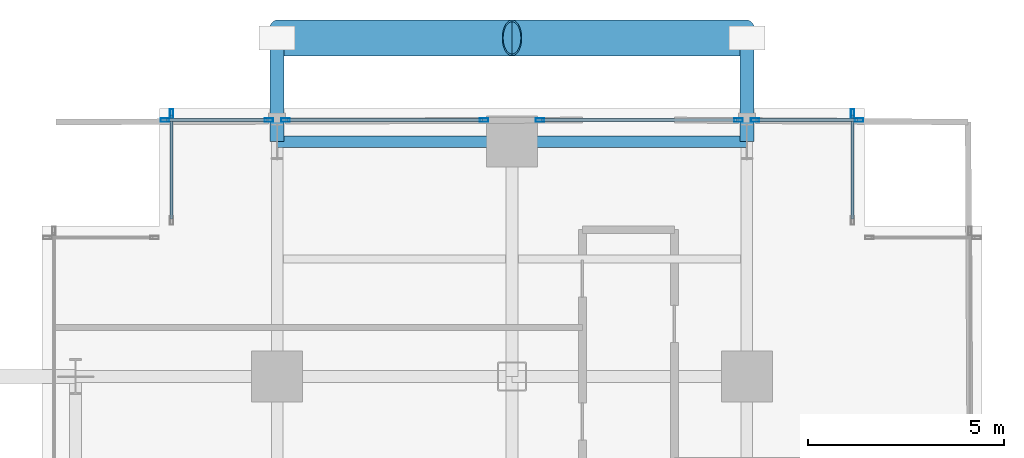
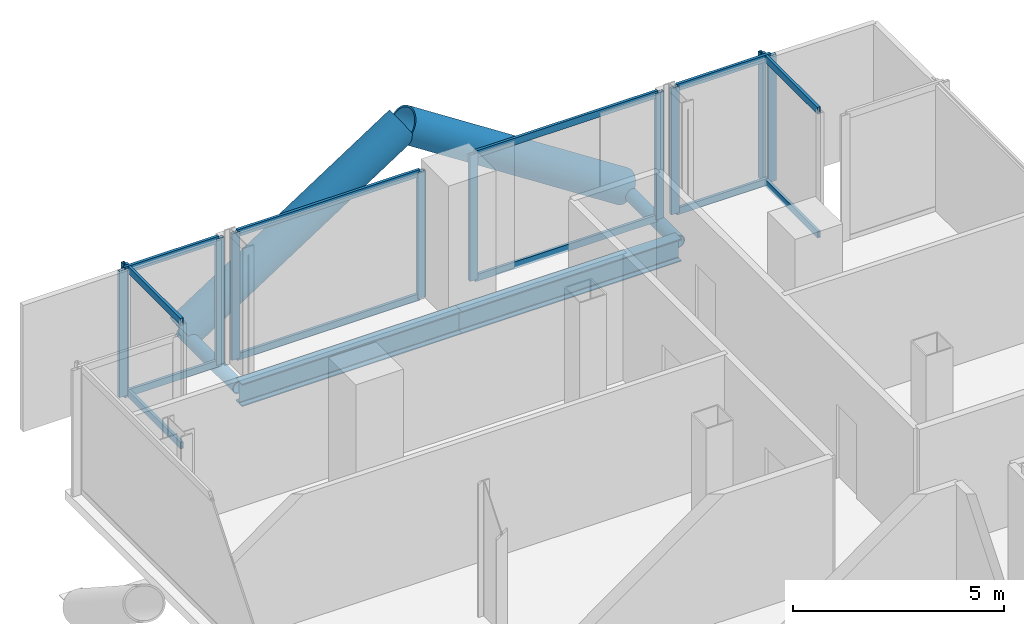
# One storey, part 16 of 25: 26 members, 2 beams, 6 elements without a shape of their own.
"""IFC4 building model written with IfcOpenShell, lengths in metres."""

from ifc_helpers import new_model, si_unit, direction, frame, origin, origin_2d, place, context, subcontext, project, spatial, hollow_rectangle, hollow_circle, i_section, extrude, material, layer, layer_set, material_profile, profile_set, type_object, element, aggregate, save


model = new_model("IFC4")

# Units and contexts
model_context = context("Model", 3, precision=1e-05, world=origin(), true_north=direction((0.0, 1.0)))
body_context = subcontext(model_context, "Body", "Model", "MODEL_VIEW")
ifc_project = project(units=[si_unit("LENGTHUNIT", "METRE"), si_unit("AREAUNIT", "SQUARE_METRE"), si_unit("VOLUMEUNIT", "CUBIC_METRE"), si_unit("PLANEANGLEUNIT", "RADIAN"), si_unit("MASSUNIT", "GRAM", prefix="KILO"), si_unit("THERMODYNAMICTEMPERATUREUNIT", "KELVIN"), si_unit("POWERUNIT", "WATT")], contexts=[model_context])

# Site, building, storey
site_placement = place(None, origin())
site = spatial("IfcSite", under=ifc_project, at=site_placement, CompositionType="ELEMENT")
building_placement = place(site_placement, origin())
building = spatial("IfcBuilding", under=site, at=building_placement, Name="Svarakhadi Broadcast Tower", CompositionType="ELEMENT")
storey_placement = place(building_placement, frame((0.0, 0.0, 63.60009765625)))
storey = spatial("IfcBuildingStorey", under=building, at=storey_placement, Name="L14", CompositionType="ELEMENT", Elevation=63.60009765625)

# Curtain wall, member
ifc_material_1 = material(Name="Anodised Bronze Aluminium AA 6063-T6", Category="aluminium")
ifc_layer = layer(ifc_material_1, 0.219970703125)
ifc_layer_set = layer_set([ifc_layer], Name="Anodised Bronze Aluminium AA 6063-T6")
curtain_wall_type = type_object("IfcCurtainWallType", Name="CW_Sys_02", PredefinedType="NOTDEFINED", material=ifc_layer_set)
curtain_wall_1_placement = place(storey_placement, origin())
curtain_wall_1 = element("IfcCurtainWall", 1, at=curtain_wall_1_placement, inside=storey, type_object=curtain_wall_type, Name="L14 Unitised Facade Curtain Wall 05", PredefinedType="NOTDEFINED")
ifc_material_profile_1 = material_profile(ifc_material_1, hollow_rectangle(XDim=0.0849609375, YDim=0.219970703125, WallThickness=0.006103515625, at=origin_2d()), Name="ALU MULLION 220x85x6")
ifc_profile_set_1 = profile_set([ifc_material_profile_1], Name="Anodised Bronze Aluminium AA 6063-T6")
member_type_1 = type_object("IfcMemberType", Name="CW_Sys_02_Mul", PredefinedType="MULLION", material=ifc_profile_set_1)
member_1_placement = place(storey_placement, frame((3.300048828125, 47.867431640625, 0.0), z_axis=(0.0, 0.0, 1.0), x_axis=(-1.0, 0.0, 0.0)))
member_1 = element("IfcMember", 2, at=member_1_placement, type_object=member_type_1, Name="CW-02 mullion 2", PredefinedType="MULLION", context=body_context, shape_type="SweptSolid", body=[
    extrude(hollow_rectangle(XDim=0.0849609375, YDim=0.219970703125, WallThickness=0.006103515625, at=origin_2d()), origin(), (0.0, 0.0, 1.0), 3.64990234375),
])

# Curtain wall, members
curtain_wall_2_placement = place(storey_placement, origin())
curtain_wall_2 = element("IfcCurtainWall", 3, at=curtain_wall_2_placement, inside=storey, type_object=curtain_wall_type, Name="L14 Unitised Facade Curtain Wall 06 Bay 1", PredefinedType="NOTDEFINED")
member_2_placement = place(storey_placement, frame((3.132568359375, 47.699951171875, 0.0), z_axis=(0.0, 0.0, 1.0), x_axis=(0.0, 1.0, 0.0)))
member_2 = element("IfcMember", 4, at=member_2_placement, type_object=member_type_1, Name="CW-02 mullion 1", PredefinedType="MULLION", context=body_context, shape_type="SweptSolid", body=[
    extrude(hollow_rectangle(XDim=0.0849609375, YDim=0.219970703125, WallThickness=0.006103515625, at=origin_2d()), origin(), (0.0, 0.0, 1.0), 3.64990234375),
])
member_3_placement = place(storey_placement, frame((5.78759765625, 47.699951171875, 0.0), z_axis=(0.0, 0.0, 1.0), x_axis=(0.0, 1.0, 0.0)))
member_3 = element("IfcMember", 5, at=member_3_placement, type_object=member_type_1, Name="CW-02 mullion 2", PredefinedType="MULLION", context=body_context, shape_type="SweptSolid", body=[
    extrude(hollow_rectangle(XDim=0.0849609375, YDim=0.219970703125, WallThickness=0.006103515625, at=origin_2d()), origin(), (0.0, 0.0, 1.0), 3.64990234375),
])

curtain_wall_3_placement = place(storey_placement, origin())
curtain_wall_3 = element("IfcCurtainWall", 6, at=curtain_wall_3_placement, inside=storey, type_object=curtain_wall_type, Name="L14 Unitised Facade Curtain Wall 06 Bay 2", PredefinedType="NOTDEFINED")
member_4_placement = place(storey_placement, frame((6.21240234375, 47.699951171875, 0.0), z_axis=(0.0, 0.0, 1.0), x_axis=(0.0, 1.0, 0.0)))
member_4 = element("IfcMember", 7, at=member_4_placement, type_object=member_type_1, Name="CW-02 mullion 1", PredefinedType="MULLION", context=body_context, shape_type="SweptSolid", body=[
    extrude(hollow_rectangle(XDim=0.0849609375, YDim=0.219970703125, WallThickness=0.006103515625, at=origin_2d()), origin(), (0.0, 0.0, 1.0), 3.64990234375),
])
member_5_placement = place(storey_placement, frame((11.28759765625, 47.699951171875, 0.0), z_axis=(0.0, 0.0, 1.0), x_axis=(0.0, 1.0, 0.0)))
member_5 = element("IfcMember", 8, at=member_5_placement, type_object=member_type_1, Name="CW-02 mullion 2", PredefinedType="MULLION", context=body_context, shape_type="SweptSolid", body=[
    extrude(hollow_rectangle(XDim=0.0849609375, YDim=0.219970703125, WallThickness=0.006103515625, at=origin_2d()), origin(), (0.0, 0.0, 1.0), 3.64990234375),
])

curtain_wall_4_placement = place(storey_placement, origin())
curtain_wall_4 = element("IfcCurtainWall", 9, at=curtain_wall_4_placement, inside=storey, type_object=curtain_wall_type, Name="L14 Unitised Facade Curtain Wall 06 Bay 3", PredefinedType="NOTDEFINED")
member_6_placement = place(storey_placement, frame((12.71240234375, 47.699951171875, 0.0), z_axis=(0.0, 0.0, 1.0), x_axis=(0.0, 1.0, 0.0)))
member_6 = element("IfcMember", 10, at=member_6_placement, type_object=member_type_1, Name="CW-02 mullion 1", PredefinedType="MULLION", context=body_context, shape_type="SweptSolid", body=[
    extrude(hollow_rectangle(XDim=0.0849609375, YDim=0.219970703125, WallThickness=0.006103515625, at=origin_2d()), origin(), (0.0, 0.0, 1.0), 3.64990234375),
])
member_7_placement = place(storey_placement, frame((17.78759765625, 47.699951171875, 0.0), z_axis=(0.0, 0.0, 1.0), x_axis=(0.0, 1.0, 0.0)))
member_7 = element("IfcMember", 11, at=member_7_placement, type_object=member_type_1, Name="CW-02 mullion 2", PredefinedType="MULLION", context=body_context, shape_type="SweptSolid", body=[
    extrude(hollow_rectangle(XDim=0.0849609375, YDim=0.219970703125, WallThickness=0.006103515625, at=origin_2d()), origin(), (0.0, 0.0, 1.0), 3.64990234375),
])

curtain_wall_5_placement = place(storey_placement, origin())
curtain_wall_5 = element("IfcCurtainWall", 12, at=curtain_wall_5_placement, inside=storey, type_object=curtain_wall_type, Name="L14 Unitised Facade Curtain Wall 06 Bay 4", PredefinedType="NOTDEFINED")
member_8_placement = place(storey_placement, frame((18.21240234375, 47.699951171875, 0.0), z_axis=(0.0, 0.0, 1.0), x_axis=(0.0, 1.0, 0.0)))
member_8 = element("IfcMember", 13, at=member_8_placement, type_object=member_type_1, Name="CW-02 mullion 1", PredefinedType="MULLION", context=body_context, shape_type="SweptSolid", body=[
    extrude(hollow_rectangle(XDim=0.0849609375, YDim=0.219970703125, WallThickness=0.006103515625, at=origin_2d()), origin(), (0.0, 0.0, 1.0), 3.64990234375),
])
member_9_placement = place(storey_placement, frame((20.867431640625, 47.699951171875, 0.0), z_axis=(0.0, 0.0, 1.0), x_axis=(0.0, 1.0, 0.0)))
member_9 = element("IfcMember", 14, at=member_9_placement, type_object=member_type_1, Name="CW-02 mullion 2", PredefinedType="MULLION", context=body_context, shape_type="SweptSolid", body=[
    extrude(hollow_rectangle(XDim=0.0849609375, YDim=0.219970703125, WallThickness=0.006103515625, at=origin_2d()), origin(), (0.0, 0.0, 1.0), 3.64990234375),
])

# Curtain wall, member
curtain_wall_6_placement = place(storey_placement, origin())
curtain_wall_6 = element("IfcCurtainWall", 15, at=curtain_wall_6_placement, inside=storey, type_object=curtain_wall_type, Name="L14 Unitised Facade Curtain Wall 07", PredefinedType="NOTDEFINED")
member_10_placement = place(storey_placement, frame((20.699951171875, 47.867431640625, 0.0), z_axis=(0.0, 0.0, 1.0), x_axis=(1.0, 0.0, 0.0)))
member_10 = element("IfcMember", 16, at=member_10_placement, type_object=member_type_1, Name="CW-02 mullion 1", PredefinedType="MULLION", context=body_context, shape_type="SweptSolid", body=[
    extrude(hollow_rectangle(XDim=0.0849609375, YDim=0.219970703125, WallThickness=0.006103515625, at=origin_2d()), origin(), (0.0, 0.0, 1.0), 3.64990234375),
])

# Member
ifc_material_profile_2 = material_profile(ifc_material_1, hollow_rectangle(XDim=0.074951171875, YDim=0.199951171875, WallThickness=0.0048828125, at=origin_2d()), Name="ALU TRANSOM 200x75x5")
ifc_profile_set_2 = profile_set([ifc_material_profile_2], Name="Anodised Bronze Aluminium AA 6063-T6")
member_type_2 = type_object("IfcMemberType", Name="CW_Sys_02_Trn", PredefinedType="USERDEFINED", material=ifc_profile_set_2)
member_11_placement = place(storey_placement, frame((3.300048828125, 45.175048828125, 0.037353515625), z_axis=(0.0, 1.0, 0.0), x_axis=(-1.0, 0.0, 0.0)))
member_11 = element("IfcMember", 17, at=member_11_placement, type_object=member_type_2, Name="CW-02 transom 1.1", ObjectType="TRANSOM", PredefinedType="USERDEFINED", context=body_context, shape_type="SweptSolid", body=[
    extrude(hollow_rectangle(XDim=0.074951171875, YDim=0.199951171875, WallThickness=0.0048828125, at=origin_2d()), origin(), (0.0, 0.0, 1.0), 2.64990234375),
])

member_12_placement = place(storey_placement, frame((3.300048828125, 45.175048828125, 3.6123046875), z_axis=(0.0, 1.0, 0.0), x_axis=(-1.0, 0.0, 0.0)))
member_12 = element("IfcMember", 18, at=member_12_placement, type_object=member_type_2, Name="CW-02 transom 1.2", ObjectType="TRANSOM", PredefinedType="USERDEFINED", context=body_context, shape_type="SweptSolid", body=[
    extrude(hollow_rectangle(XDim=0.074951171875, YDim=0.199951171875, WallThickness=0.0048828125, at=origin_2d()), origin(), (0.0, 0.0, 1.0), 2.64990234375),
])

aggregate(curtain_wall_1, [member_1, member_11, member_12])

member_13_placement = place(storey_placement, frame((3.175048828125, 47.699951171875, 0.037353515625), z_axis=(1.0, 0.0, 0.0), x_axis=(0.0, 1.0, 0.0)))
member_13 = element("IfcMember", 19, at=member_13_placement, type_object=member_type_2, Name="CW-02 transom 1.1", ObjectType="TRANSOM", PredefinedType="USERDEFINED", context=body_context, shape_type="SweptSolid", body=[
    extrude(hollow_rectangle(XDim=0.074951171875, YDim=0.199951171875, WallThickness=0.0048828125, at=origin_2d()), origin(), (0.0, 0.0, 1.0), 2.570068359375),
])

member_14_placement = place(storey_placement, frame((3.175048828125, 47.699951171875, 3.6123046875), z_axis=(1.0, 0.0, 0.0), x_axis=(0.0, 1.0, 0.0)))
member_14 = element("IfcMember", 20, at=member_14_placement, type_object=member_type_2, Name="CW-02 transom 1.2", ObjectType="TRANSOM", PredefinedType="USERDEFINED", context=body_context, shape_type="SweptSolid", body=[
    extrude(hollow_rectangle(XDim=0.074951171875, YDim=0.199951171875, WallThickness=0.0048828125, at=origin_2d()), origin(), (0.0, 0.0, 1.0), 2.570068359375),
])

aggregate(curtain_wall_2, [member_2, member_3, member_13, member_14])

member_15_placement = place(storey_placement, frame((6.2548828125, 47.699951171875, 0.037353515625), z_axis=(1.0, 0.0, 0.0), x_axis=(0.0, 1.0, 0.0)))
member_15 = element("IfcMember", 21, at=member_15_placement, type_object=member_type_2, Name="CW-02 transom 1.1", ObjectType="TRANSOM", PredefinedType="USERDEFINED", context=body_context, shape_type="SweptSolid", body=[
    extrude(hollow_rectangle(XDim=0.074951171875, YDim=0.199951171875, WallThickness=0.0048828125, at=origin_2d()), origin(), (0.0, 0.0, 1.0), 4.990234375),
])

member_16_placement = place(storey_placement, frame((6.2548828125, 47.699951171875, 3.6123046875), z_axis=(1.0, 0.0, 0.0), x_axis=(0.0, 1.0, 0.0)))
member_16 = element("IfcMember", 22, at=member_16_placement, type_object=member_type_2, Name="CW-02 transom 1.2", ObjectType="TRANSOM", PredefinedType="USERDEFINED", context=body_context, shape_type="SweptSolid", body=[
    extrude(hollow_rectangle(XDim=0.074951171875, YDim=0.199951171875, WallThickness=0.0048828125, at=origin_2d()), origin(), (0.0, 0.0, 1.0), 4.990234375),
])

aggregate(curtain_wall_3, [member_4, member_5, member_15, member_16])

member_17_placement = place(storey_placement, frame((12.7548828125, 47.699951171875, 0.037353515625), z_axis=(1.0, 0.0, 0.0), x_axis=(0.0, 1.0, 0.0)))
member_17 = element("IfcMember", 23, at=member_17_placement, type_object=member_type_2, Name="CW-02 transom 1.1", ObjectType="TRANSOM", PredefinedType="USERDEFINED", context=body_context, shape_type="SweptSolid", body=[
    extrude(hollow_rectangle(XDim=0.074951171875, YDim=0.199951171875, WallThickness=0.0048828125, at=origin_2d()), origin(), (0.0, 0.0, 1.0), 4.990234375),
])

member_18_placement = place(storey_placement, frame((12.7548828125, 47.699951171875, 3.6123046875), z_axis=(1.0, 0.0, 0.0), x_axis=(0.0, 1.0, 0.0)))
member_18 = element("IfcMember", 24, at=member_18_placement, type_object=member_type_2, Name="CW-02 transom 1.2", ObjectType="TRANSOM", PredefinedType="USERDEFINED", context=body_context, shape_type="SweptSolid", body=[
    extrude(hollow_rectangle(XDim=0.074951171875, YDim=0.199951171875, WallThickness=0.0048828125, at=origin_2d()), origin(), (0.0, 0.0, 1.0), 4.990234375),
])

aggregate(curtain_wall_4, [member_6, member_7, member_17, member_18])

member_19_placement = place(storey_placement, frame((18.2548828125, 47.699951171875, 0.037353515625), z_axis=(1.0, 0.0, 0.0), x_axis=(0.0, 1.0, 0.0)))
member_19 = element("IfcMember", 25, at=member_19_placement, type_object=member_type_2, Name="CW-02 transom 1.1", ObjectType="TRANSOM", PredefinedType="USERDEFINED", context=body_context, shape_type="SweptSolid", body=[
    extrude(hollow_rectangle(XDim=0.074951171875, YDim=0.199951171875, WallThickness=0.0048828125, at=origin_2d()), origin(), (0.0, 0.0, 1.0), 2.570068359375),
])

member_20_placement = place(storey_placement, frame((18.2548828125, 47.699951171875, 3.6123046875), z_axis=(1.0, 0.0, 0.0), x_axis=(0.0, 1.0, 0.0)))
member_20 = element("IfcMember", 26, at=member_20_placement, type_object=member_type_2, Name="CW-02 transom 1.2", ObjectType="TRANSOM", PredefinedType="USERDEFINED", context=body_context, shape_type="SweptSolid", body=[
    extrude(hollow_rectangle(XDim=0.074951171875, YDim=0.199951171875, WallThickness=0.0048828125, at=origin_2d()), origin(), (0.0, 0.0, 1.0), 2.570068359375),
])

aggregate(curtain_wall_5, [member_8, member_9, member_19, member_20])

member_21_placement = place(storey_placement, frame((20.699951171875, 47.824951171875, 0.037353515625), z_axis=(0.0, -1.0, 0.0), x_axis=(1.0, 0.0, 0.0)))
member_21 = element("IfcMember", 27, at=member_21_placement, type_object=member_type_2, Name="CW-02 transom 1.1", ObjectType="TRANSOM", PredefinedType="USERDEFINED", context=body_context, shape_type="SweptSolid", body=[
    extrude(hollow_rectangle(XDim=0.074951171875, YDim=0.199951171875, WallThickness=0.0048828125, at=origin_2d()), origin(), (0.0, 0.0, 1.0), 2.64990234375),
])

member_22_placement = place(storey_placement, frame((20.699951171875, 47.824951171875, 3.6123046875), z_axis=(0.0, -1.0, 0.0), x_axis=(1.0, 0.0, 0.0)))
member_22 = element("IfcMember", 28, at=member_22_placement, type_object=member_type_2, Name="CW-02 transom 1.2", ObjectType="TRANSOM", PredefinedType="USERDEFINED", context=body_context, shape_type="SweptSolid", body=[
    extrude(hollow_rectangle(XDim=0.074951171875, YDim=0.199951171875, WallThickness=0.0048828125, at=origin_2d()), origin(), (0.0, 0.0, 1.0), 2.64990234375),
])

aggregate(curtain_wall_6, [member_10, member_21, member_22])

# Members
ifc_material_2 = material(Name="Steel S460ML (IS 2062 E450BR)", Category="steel")
ifc_material_profile_3 = material_profile(ifc_material_2, hollow_circle(Radius=0.45703125, WallThickness=0.044921875, at=origin_2d()), Name="CHS 914x45")
ifc_profile_set_3 = profile_set([ifc_material_profile_3], Name="Steel S460ML (IS 2062 E450BR)")
member_type_3 = type_object("IfcMemberType", Name="Exo_Brace_CHS914", PredefinedType="BRACE", material=ifc_profile_set_3)
for number, where, z_axis, x_axis, name in (
    (29, (6.0, 49.800048828125, -0.427978515625), (0.838434262763, 0.0, 0.545002740383), (0.0, 1.0, 0.0), "L14 Exposed Bronze Exoskeleton Diagonal N10"),
    (30, (18.0, 49.800048828125, -0.427978515625), (-0.838434262763, 0.0, 0.545002740383), (0.0, -1.0, 0.0), "L14 Exposed Bronze Exoskeleton Diagonal N11"),
):
    element("IfcMember", number, at=place(storey_placement, frame(where, z_axis=z_axis, x_axis=x_axis)), inside=storey, type_object=member_type_3, Name=name, PredefinedType="BRACE", context=body_context, shape_type="SweptSolid", body=[
        extrude(hollow_circle(Radius=0.45703125, WallThickness=0.044921875, at=origin_2d()), origin(), (0.0, 0.0, 1.0), 7.15625),
    ])
ifc_material_profile_4 = material_profile(ifc_material_2, hollow_circle(Radius=0.177734375, WallThickness=0.02001953125, at=origin_2d()), Name="CHS 355.6x20")
ifc_profile_set_4 = profile_set([ifc_material_profile_4], Name="Steel S460ML (IS 2062 E450BR)")
member_type_4 = type_object("IfcMemberType", Name="Exo_Radial_Strut_Z1", PredefinedType="STRUT", material=ifc_profile_set_4)
for number, where, z_axis, x_axis, name in (
    (31, (6.0, 49.800048828125, -0.427978515625), (0.0, -1.0, 0.0), (1.0, 0.0, 0.0), "L14 Exoskeleton Radial Tie Strut N11"),
    (32, (18.0, 49.800048828125, -0.427978515625), (0.0, -1.0, 0.0), (1.0, 0.0, 0.0), "L14 Exoskeleton Radial Tie Strut N12"),
):
    element("IfcMember", number, at=place(storey_placement, frame(where, z_axis=z_axis, x_axis=x_axis)), inside=storey, type_object=member_type_4, Name=name, PredefinedType="STRUT", context=body_context, shape_type="SweptSolid", body=[
        extrude(hollow_circle(Radius=0.177734375, WallThickness=0.02001953125, at=origin_2d()), origin(), (0.0, 0.0, 1.0), 2.650146484375),
    ])

# Beams
ifc_material_3 = material(Name="Steel S355J2 (IS 2062 E350C)", Category="steel")
ifc_material_profile_5 = material_profile(ifc_material_3, i_section(OverallWidth=0.300048828125, OverallDepth=0.64990234375, WebThickness=0.01611328125, FlangeThickness=0.031005859375, FilletRadius=0.027099609375, at=origin_2d()), Name="WPB 650x300x225")
ifc_profile_set_5 = profile_set([ifc_material_profile_5], Name="Steel S355J2 (IS 2062 E350C)")
beam_type = type_object("IfcBeamType", Name="Girder_WPB650", PredefinedType="USERDEFINED", material=ifc_profile_set_5)
for number, where, z_axis, x_axis, name in (
    (33, (6.0, 47.14990234375, -0.5751953125), (1.0, 0.0, 0.0), (0.0, 1.0, 0.0), "L14 Primary E-W Girder G043"),
    (34, (12.0, 47.14990234375, -0.5751953125), (1.0, 0.0, 0.0), (0.0, 1.0, 0.0), "L14 Primary E-W Girder G044"),
):
    element("IfcBeam", number, at=place(storey_placement, frame(where, z_axis=z_axis, x_axis=x_axis)), inside=storey, type_object=beam_type, Name=name, ObjectType="GIRDER", PredefinedType="USERDEFINED", context=body_context, shape_type="SweptSolid", body=[
        extrude(i_section(OverallWidth=0.300048828125, OverallDepth=0.64990234375, WebThickness=0.01611328125, FlangeThickness=0.031005859375, FilletRadius=0.027099609375, at=origin_2d()), origin(), (0.0, 0.0, 1.0), 6.0),
    ])

save(model, "model.ifc")
